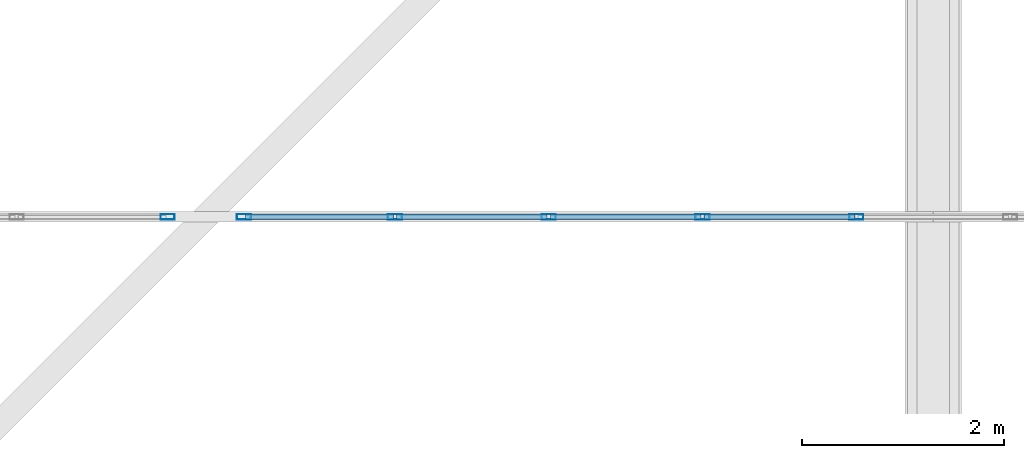
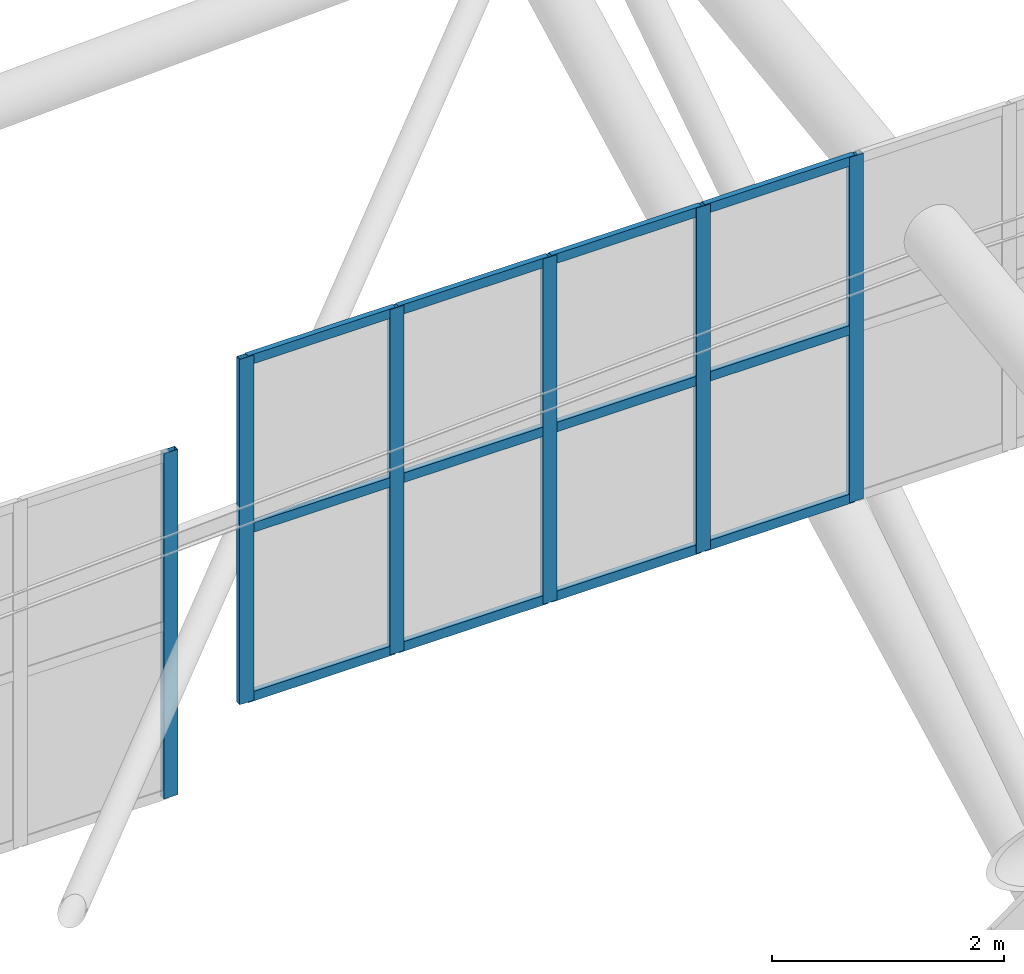
# One storey, part 40 of 397: 18 members, 2 elements without a shape of their own.
"""IFC4 building model written with IfcOpenShell, lengths in metres."""

from ifc_helpers import new_model, si_unit, direction, frame, origin, origin_2d, place, context, subcontext, project, spatial, hollow_rectangle, extrude, material, material_profile, profile_set, type_object, element, aggregate, save


model = new_model("IFC4")

# Units and contexts
model_context = context("Model", 3, precision=1e-05, world=origin(), true_north=direction((0.0, 1.0)))
body_context = subcontext(model_context, "Body", "Model", "MODEL_VIEW")
ifc_project = project(units=[si_unit("LENGTHUNIT", "METRE"), si_unit("AREAUNIT", "SQUARE_METRE"), si_unit("VOLUMEUNIT", "CUBIC_METRE"), si_unit("PLANEANGLEUNIT", "RADIAN"), si_unit("MASSUNIT", "GRAM", prefix="KILO")], contexts=[model_context])

# Site, building, storey
site_placement = place(None, origin())
site = spatial("IfcSite", under=ifc_project, at=site_placement, CompositionType="ELEMENT")
building_placement = place(site_placement, origin())
building = spatial("IfcBuilding", under=site, at=building_placement, Name="Qandorah Velis Arena", CompositionType="ELEMENT")
storey_placement = place(building_placement, frame((0.0, 0.0, 27.5)))
storey = spatial("IfcBuildingStorey", under=building, at=storey_placement, Name="RF", CompositionType="ELEMENT", Elevation=27.5)

# Curtain wall, member
ifc_material_1 = material(Name="Solar-control low-E double glazing", Category="glass")
curtain_wall_type_1 = type_object("IfcCurtainWallType", Name="ARC-CW-SYS20", PredefinedType="USERDEFINED", material=ifc_material_1)
curtain_wall_1_placement = place(storey_placement, origin())
curtain_wall_1 = element("IfcCurtainWall", 1, at=curtain_wall_1_placement, inside=storey, type_object=curtain_wall_type_1, Name="Unitised curtain wall MON-3-2", ObjectType="UNITISED CURTAIN WALL", PredefinedType="USERDEFINED")
ifc_material_2 = material(Name="Champagne-bronze anodized aluminium 6063-T6", Category="aluminium")
ifc_material_profile_1 = material_profile(ifc_material_2, hollow_rectangle(XDim=0.054931640625, YDim=0.139892578125, WallThickness=0.0029296875, at=origin_2d()), Name="ALU MULLION 55x140")
ifc_profile_set_1 = profile_set([ifc_material_profile_1], Name="Champagne-bronze anodized aluminium 6063-T6")
member_type_1 = type_object("IfcMemberType", Name="ARC-CWM-140", PredefinedType="MULLION", material=ifc_profile_set_1)
member_1_placement = place(storey_placement, frame((50.0224609375, 21.60009765625, 5.337646484375), z_axis=(0.0, 0.0, 1.0), x_axis=(0.0, 1.0, 0.0)))
member_1 = element("IfcMember", 2, at=member_1_placement, type_object=member_type_1, Name="CW20 mullion 10", PredefinedType="MULLION", context=body_context, shape_type="SweptSolid", body=[
    extrude(hollow_rectangle(XDim=0.054931640625, YDim=0.139892578125, WallThickness=0.0029296875, at=origin_2d()), origin(), (0.0, 0.0, 1.0), 3.630126953125),
])
aggregate(curtain_wall_1, [member_1])

# Curtain wall, members
curtain_wall_type_2 = type_object("IfcCurtainWallType", Name="ARC-CW-SYS21", PredefinedType="USERDEFINED", material=ifc_material_1)
curtain_wall_2_placement = place(storey_placement, origin())
curtain_wall_2 = element("IfcCurtainWall", 3, at=curtain_wall_2_placement, inside=storey, type_object=curtain_wall_type_2, Name="Unitised curtain wall MON-3-3", ObjectType="UNITISED CURTAIN WALL", PredefinedType="USERDEFINED")
member_2_placement = place(storey_placement, frame((50.777587890625, 21.60009765625, 6.064697265625), z_axis=(0.0, 0.0, 1.0), x_axis=(0.0, 1.0, 0.0)))
member_2 = element("IfcMember", 4, at=member_2_placement, type_object=member_type_1, Name="CW21 mullion 1", PredefinedType="MULLION", context=body_context, shape_type="SweptSolid", body=[
    extrude(hollow_rectangle(XDim=0.054931640625, YDim=0.139892578125, WallThickness=0.0029296875, at=origin_2d()), origin(), (0.0, 0.0, 1.0), 3.6298828125),
])
member_3_placement = place(storey_placement, frame((52.272216796875, 21.60009765625, 6.064697265625), z_axis=(0.0, 0.0, 1.0), x_axis=(0.0, 1.0, 0.0)))
member_3 = element("IfcMember", 5, at=member_3_placement, type_object=member_type_1, Name="CW21 mullion 2", PredefinedType="MULLION", context=body_context, shape_type="SweptSolid", body=[
    extrude(hollow_rectangle(XDim=0.054931640625, YDim=0.139892578125, WallThickness=0.0029296875, at=origin_2d()), origin(), (0.0, 0.0, 1.0), 3.6298828125),
])
member_4_placement = place(storey_placement, frame((53.79443359375, 21.60009765625, 6.064697265625), z_axis=(0.0, 0.0, 1.0), x_axis=(0.0, 1.0, 0.0)))
member_4 = element("IfcMember", 6, at=member_4_placement, type_object=member_type_1, Name="CW21 mullion 3", PredefinedType="MULLION", context=body_context, shape_type="SweptSolid", body=[
    extrude(hollow_rectangle(XDim=0.054931640625, YDim=0.139892578125, WallThickness=0.0029296875, at=origin_2d()), origin(), (0.0, 0.0, 1.0), 3.6298828125),
])
member_5_placement = place(storey_placement, frame((55.316650390625, 21.60009765625, 6.064697265625), z_axis=(0.0, 0.0, 1.0), x_axis=(0.0, 1.0, 0.0)))
member_5 = element("IfcMember", 7, at=member_5_placement, type_object=member_type_1, Name="CW21 mullion 4", PredefinedType="MULLION", context=body_context, shape_type="SweptSolid", body=[
    extrude(hollow_rectangle(XDim=0.054931640625, YDim=0.139892578125, WallThickness=0.0029296875, at=origin_2d()), origin(), (0.0, 0.0, 1.0), 3.6298828125),
])
member_6_placement = place(storey_placement, frame((56.8388671875, 21.60009765625, 6.064697265625), z_axis=(0.0, 0.0, 1.0), x_axis=(0.0, 1.0, 0.0)))
member_6 = element("IfcMember", 8, at=member_6_placement, type_object=member_type_1, Name="CW21 mullion 5", PredefinedType="MULLION", context=body_context, shape_type="SweptSolid", body=[
    extrude(hollow_rectangle(XDim=0.054931640625, YDim=0.139892578125, WallThickness=0.0029296875, at=origin_2d()), origin(), (0.0, 0.0, 1.0), 3.6298828125),
])
ifc_material_profile_2 = material_profile(ifc_material_2, hollow_rectangle(XDim=0.054931640625, YDim=0.10009765625, WallThickness=0.0029296875, at=origin_2d()), Name="ALU TRANSOM 55x100")
ifc_profile_set_2 = profile_set([ifc_material_profile_2], Name="Champagne-bronze anodized aluminium 6063-T6")
member_type_2 = type_object("IfcMemberType", Name="ARC-CWT-100", PredefinedType="USERDEFINED", material=ifc_profile_set_2)
member_7_placement = place(storey_placement, frame((50.79296875, 21.60009765625, 6.107177734375), z_axis=(1.0, 0.0, 0.0), x_axis=(0.0, 1.0, 0.0)))
member_7 = element("IfcMember", 9, at=member_7_placement, type_object=member_type_2, Name="CW21 transom 1.1", ObjectType="TRANSOM", PredefinedType="USERDEFINED", context=body_context, shape_type="SweptSolid", body=[
    extrude(hollow_rectangle(XDim=0.054931640625, YDim=0.10009765625, WallThickness=0.0029296875, at=origin_2d()), origin(), (0.0, 0.0, 1.0), 1.463623046875),
])
member_8_placement = place(storey_placement, frame((50.79296875, 21.60009765625, 7.879638671875), z_axis=(1.0, 0.0, 0.0), x_axis=(0.0, 1.0, 0.0)))
member_8 = element("IfcMember", 10, at=member_8_placement, type_object=member_type_2, Name="CW21 transom 1.2", ObjectType="TRANSOM", PredefinedType="USERDEFINED", context=body_context, shape_type="SweptSolid", body=[
    extrude(hollow_rectangle(XDim=0.054931640625, YDim=0.10009765625, WallThickness=0.0029296875, at=origin_2d()), origin(), (0.0, 0.0, 1.0), 1.463623046875),
])
member_9_placement = place(storey_placement, frame((50.79296875, 21.60009765625, 9.652099609375), z_axis=(1.0, 0.0, 0.0), x_axis=(0.0, 1.0, 0.0)))
member_9 = element("IfcMember", 11, at=member_9_placement, type_object=member_type_2, Name="CW21 transom 1.3", ObjectType="TRANSOM", PredefinedType="USERDEFINED", context=body_context, shape_type="SweptSolid", body=[
    extrude(hollow_rectangle(XDim=0.054931640625, YDim=0.10009765625, WallThickness=0.0029296875, at=origin_2d()), origin(), (0.0, 0.0, 1.0), 1.463623046875),
])
member_10_placement = place(storey_placement, frame((52.28759765625, 21.60009765625, 6.107177734375), z_axis=(1.0, 0.0, 0.0), x_axis=(0.0, 1.0, 0.0)))
member_10 = element("IfcMember", 12, at=member_10_placement, type_object=member_type_2, Name="CW21 transom 2.1", ObjectType="TRANSOM", PredefinedType="USERDEFINED", context=body_context, shape_type="SweptSolid", body=[
    extrude(hollow_rectangle(XDim=0.054931640625, YDim=0.10009765625, WallThickness=0.0029296875, at=origin_2d()), origin(), (0.0, 0.0, 1.0), 1.4912109375),
])
member_11_placement = place(storey_placement, frame((52.28759765625, 21.60009765625, 7.879638671875), z_axis=(1.0, 0.0, 0.0), x_axis=(0.0, 1.0, 0.0)))
member_11 = element("IfcMember", 13, at=member_11_placement, type_object=member_type_2, Name="CW21 transom 2.2", ObjectType="TRANSOM", PredefinedType="USERDEFINED", context=body_context, shape_type="SweptSolid", body=[
    extrude(hollow_rectangle(XDim=0.054931640625, YDim=0.10009765625, WallThickness=0.0029296875, at=origin_2d()), origin(), (0.0, 0.0, 1.0), 1.4912109375),
])
member_12_placement = place(storey_placement, frame((52.28759765625, 21.60009765625, 9.652099609375), z_axis=(1.0, 0.0, 0.0), x_axis=(0.0, 1.0, 0.0)))
member_12 = element("IfcMember", 14, at=member_12_placement, type_object=member_type_2, Name="CW21 transom 2.3", ObjectType="TRANSOM", PredefinedType="USERDEFINED", context=body_context, shape_type="SweptSolid", body=[
    extrude(hollow_rectangle(XDim=0.054931640625, YDim=0.10009765625, WallThickness=0.0029296875, at=origin_2d()), origin(), (0.0, 0.0, 1.0), 1.4912109375),
])
member_13_placement = place(storey_placement, frame((53.809814453125, 21.60009765625, 6.107177734375), z_axis=(1.0, 0.0, 0.0), x_axis=(0.0, 1.0, 0.0)))
member_13 = element("IfcMember", 15, at=member_13_placement, type_object=member_type_2, Name="CW21 transom 3.1", ObjectType="TRANSOM", PredefinedType="USERDEFINED", context=body_context, shape_type="SweptSolid", body=[
    extrude(hollow_rectangle(XDim=0.054931640625, YDim=0.10009765625, WallThickness=0.0029296875, at=origin_2d()), origin(), (0.0, 0.0, 1.0), 1.491455078125),
])
member_14_placement = place(storey_placement, frame((53.809814453125, 21.60009765625, 7.879638671875), z_axis=(1.0, 0.0, 0.0), x_axis=(0.0, 1.0, 0.0)))
member_14 = element("IfcMember", 16, at=member_14_placement, type_object=member_type_2, Name="CW21 transom 3.2", ObjectType="TRANSOM", PredefinedType="USERDEFINED", context=body_context, shape_type="SweptSolid", body=[
    extrude(hollow_rectangle(XDim=0.054931640625, YDim=0.10009765625, WallThickness=0.0029296875, at=origin_2d()), origin(), (0.0, 0.0, 1.0), 1.491455078125),
])
member_15_placement = place(storey_placement, frame((53.809814453125, 21.60009765625, 9.652099609375), z_axis=(1.0, 0.0, 0.0), x_axis=(0.0, 1.0, 0.0)))
member_15 = element("IfcMember", 17, at=member_15_placement, type_object=member_type_2, Name="CW21 transom 3.3", ObjectType="TRANSOM", PredefinedType="USERDEFINED", context=body_context, shape_type="SweptSolid", body=[
    extrude(hollow_rectangle(XDim=0.054931640625, YDim=0.10009765625, WallThickness=0.0029296875, at=origin_2d()), origin(), (0.0, 0.0, 1.0), 1.491455078125),
])
member_16_placement = place(storey_placement, frame((55.332275390625, 21.60009765625, 6.107177734375), z_axis=(1.0, 0.0, 0.0), x_axis=(0.0, 1.0, 0.0)))
member_16 = element("IfcMember", 18, at=member_16_placement, type_object=member_type_2, Name="CW21 transom 4.1", ObjectType="TRANSOM", PredefinedType="USERDEFINED", context=body_context, shape_type="SweptSolid", body=[
    extrude(hollow_rectangle(XDim=0.054931640625, YDim=0.10009765625, WallThickness=0.0029296875, at=origin_2d()), origin(), (0.0, 0.0, 1.0), 1.4912109375),
])
member_17_placement = place(storey_placement, frame((55.332275390625, 21.60009765625, 7.879638671875), z_axis=(1.0, 0.0, 0.0), x_axis=(0.0, 1.0, 0.0)))
member_17 = element("IfcMember", 19, at=member_17_placement, type_object=member_type_2, Name="CW21 transom 4.2", ObjectType="TRANSOM", PredefinedType="USERDEFINED", context=body_context, shape_type="SweptSolid", body=[
    extrude(hollow_rectangle(XDim=0.054931640625, YDim=0.10009765625, WallThickness=0.0029296875, at=origin_2d()), origin(), (0.0, 0.0, 1.0), 1.4912109375),
])
member_18_placement = place(storey_placement, frame((55.332275390625, 21.60009765625, 9.652099609375), z_axis=(1.0, 0.0, 0.0), x_axis=(0.0, 1.0, 0.0)))
member_18 = element("IfcMember", 20, at=member_18_placement, type_object=member_type_2, Name="CW21 transom 4.3", ObjectType="TRANSOM", PredefinedType="USERDEFINED", context=body_context, shape_type="SweptSolid", body=[
    extrude(hollow_rectangle(XDim=0.054931640625, YDim=0.10009765625, WallThickness=0.0029296875, at=origin_2d()), origin(), (0.0, 0.0, 1.0), 1.4912109375),
])
aggregate(curtain_wall_2, [member_2, member_3, member_4, member_5, member_6, member_7, member_8, member_9, member_10, member_11, member_12, member_13, member_14, member_15, member_16, member_17, member_18])

save(model, "model.ifc")
